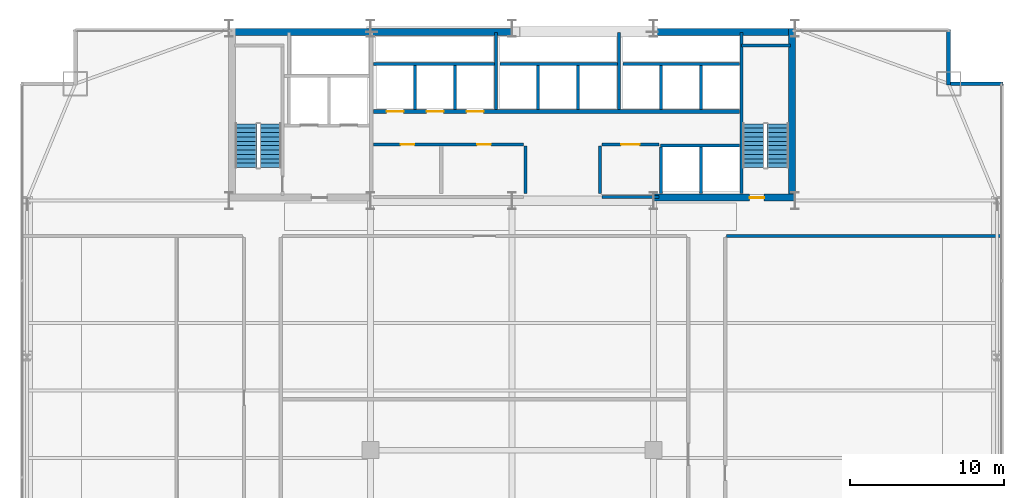
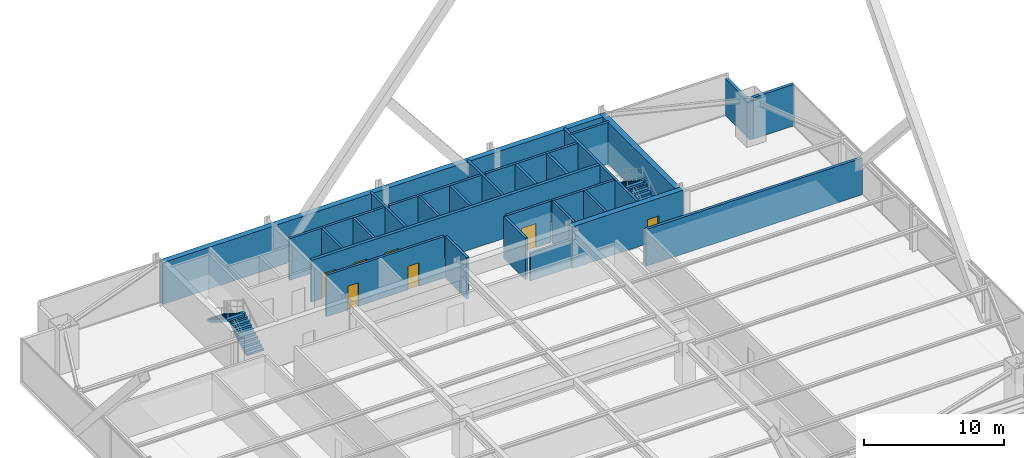
# One storey, part 29 of 32: 28 walls, 7 doors, 4 stair flights, 7 openings, 2 elements without a shape of their own.
"""IFC4 building model written with IfcOpenShell, lengths in metres."""

from ifc_helpers import new_model, si_unit, direction, frame, frame_2d, origin, place, context, subcontext, project, spatial, polyline, rectangle, outline, extrude, source, transform, mapped, material, layer, layer_set, type_object, type_shapes, element, fill, aggregate, save


model = new_model("IFC4")

# Units and contexts
model_context = context("Model", 3, precision=1e-05, world=origin(), true_north=direction((0.0, 1.0)))
body_context = subcontext(model_context, "Body", "Model", "MODEL_VIEW")
ifc_project = project(units=[si_unit("LENGTHUNIT", "METRE"), si_unit("AREAUNIT", "SQUARE_METRE"), si_unit("VOLUMEUNIT", "CUBIC_METRE"), si_unit("PLANEANGLEUNIT", "RADIAN"), si_unit("MASSUNIT", "GRAM", prefix="KILO")], contexts=[model_context])

# Site, building, storey
site_placement = place(None, origin())
site = spatial("IfcSite", under=ifc_project, at=site_placement, CompositionType="ELEMENT")
building_placement = place(site_placement, origin())
building = spatial("IfcBuilding", under=site, at=building_placement, Name="Varnel Quay Broadcast Tower", CompositionType="ELEMENT")
storey_placement = place(building_placement, frame((0.0, 0.0, 58.800048828125)))
storey = spatial("IfcBuildingStorey", under=building, at=storey_placement, Name="L13", CompositionType="ELEMENT", Elevation=58.800048828125)

# Walls
ifc_material_1 = material(Name="Concrete CSA A23.3 C50/60", Category="concrete")
ifc_layer_1 = layer(ifc_material_1, 0.199951171875, Name="Concrete CSA A23.3 C50/60")
ifc_layer_set_1 = layer_set([ifc_layer_1], Name="Concrete CSA A23.3 C50/60")
wall_type_1 = type_object("IfcWallType", Name="Wall_CoreShaftShear200", PredefinedType="SHEAR", material=ifc_layer_set_1)
wall_1_placement = place(storey_placement, frame((48.919921875, 36.050048828125, 0.0), z_axis=(0.0, 0.0, 1.0), x_axis=(0.0, 1.0, 0.0)))
element("IfcWall", 1, at=wall_1_placement, inside=storey, type_object=wall_type_1, Name="L13 Stair 2 West Structural Wall", PredefinedType="SHEAR", context=body_context, shape_type="SweptSolid", body=[
    extrude(rectangle(XDim=10.5, YDim=0.199951171875, at=frame_2d((5.25, 0.0))), origin(), (0.0, 0.0, 1.0), 3.64990234375),
])
wall_2_placement = place(storey_placement, frame((48.919921875, 45.679931640625, 0.0), z_axis=(0.0, 0.0, 1.0), x_axis=(1.0, 0.0, 0.0)))
element("IfcWall", 2, at=wall_2_placement, inside=storey, type_object=wall_type_1, Name="L13 Stair 2 North Structural Wall", PredefinedType="SHEAR", context=body_context, shape_type="SweptSolid", body=[
    extrude(rectangle(XDim=3.18017578125, YDim=0.199951171875, at=frame_2d((1.590087890625, 0.0))), origin(), (0.0, 0.0, 1.0), 3.64990234375),
])
wall_3_placement = place(storey_placement, frame((24.97998046875, 44.5, 0.0), z_axis=(0.0, 0.0, 1.0), x_axis=(1.0, 0.0, 0.0)))
element("IfcWall", 3, at=wall_3_placement, inside=storey, type_object=wall_type_1, Name="L13 Low-Rise Lift Shaft Rear Wall", PredefinedType="SHEAR", context=body_context, shape_type="SweptSolid", body=[
    extrude(rectangle(XDim=7.8701171875, YDim=0.199951171875, at=frame_2d((3.93505859375, 0.0))), origin(), (0.0, 0.0, 1.0), 3.64990234375),
])
for number, where, z_axis, x_axis, name in (
    (4, (27.699951171875, 41.530029296875, 0.0), (0.0, 0.0, 1.0), (0.0, 1.0, 0.0), "L13 Low-Rise Lift Shaft Divider 1"),
    (5, (30.300048828125, 41.530029296875, 0.0), (0.0, 0.0, 1.0), (0.0, 1.0, 0.0), "L13 Low-Rise Lift Shaft Divider 2"),
):
    element("IfcWall", number, at=place(storey_placement, frame(where, z_axis=z_axis, x_axis=x_axis)), inside=storey, type_object=wall_type_1, Name=name, PredefinedType="SHEAR", context=body_context, shape_type="SweptSolid", body=[
        extrude(rectangle(XDim=2.869873046875, YDim=0.199951171875, at=frame_2d((1.43505859375, 0.0))), origin(), (0.0, 0.0, 1.0), 3.64990234375),
    ])
wall_4_placement = place(storey_placement, frame((32.949951171875, 41.530029296875, 0.0), z_axis=(0.0, 0.0, 1.0), x_axis=(0.0, 1.0, 0.0)))
element("IfcWall", 6, at=wall_4_placement, inside=storey, type_object=wall_type_1, Name="L13 Low-Rise Lift Shaft Divider 3", PredefinedType="SHEAR", context=body_context, shape_type="SweptSolid", body=[
    extrude(rectangle(XDim=5.02001953125, YDim=0.199951171875, at=frame_2d((2.510009765625, 0.0))), origin(), (0.0, 0.0, 1.0), 3.64990234375),
])
wall_5_placement = place(storey_placement, frame((33.219970703125, 44.5, 0.0), z_axis=(0.0, 0.0, 1.0), x_axis=(1.0, 0.0, 0.0)))
element("IfcWall", 7, at=wall_5_placement, inside=storey, type_object=wall_type_1, Name="L13 Mid-Rise Lift Shaft Rear Wall", PredefinedType="SHEAR", context=body_context, shape_type="SweptSolid", body=[
    extrude(rectangle(XDim=7.630126953125, YDim=0.199951171875, at=frame_2d((3.81494140625, 0.0))), origin(), (0.0, 0.0, 1.0), 3.64990234375),
])
for number, where, z_axis, x_axis, name in (
    (8, (35.699951171875, 41.530029296875, 0.0), (0.0, 0.0, 1.0), (0.0, 1.0, 0.0), "L13 Mid-Rise Lift Shaft Divider 2"),
    (9, (38.300048828125, 41.530029296875, 0.0), (0.0, 0.0, 1.0), (0.0, 1.0, 0.0), "L13 Mid-Rise Lift Shaft Divider 3"),
):
    element("IfcWall", number, at=place(storey_placement, frame(where, z_axis=z_axis, x_axis=x_axis)), inside=storey, type_object=wall_type_1, Name=name, PredefinedType="SHEAR", context=body_context, shape_type="SweptSolid", body=[
        extrude(rectangle(XDim=2.869873046875, YDim=0.199951171875, at=frame_2d((1.43505859375, 0.0))), origin(), (0.0, 0.0, 1.0), 3.64990234375),
    ])
wall_6_placement = place(storey_placement, frame((40.949951171875, 41.530029296875, 0.0), z_axis=(0.0, 0.0, 1.0), x_axis=(0.0, 1.0, 0.0)))
element("IfcWall", 10, at=wall_6_placement, inside=storey, type_object=wall_type_1, Name="L13 Mid-Rise Lift Shaft Divider 4", PredefinedType="SHEAR", context=body_context, shape_type="SweptSolid", body=[
    extrude(rectangle(XDim=5.02001953125, YDim=0.199951171875, at=frame_2d((2.510009765625, 0.0))), origin(), (0.0, 0.0, 1.0), 3.64990234375),
])
wall_7_placement = place(storey_placement, frame((41.219970703125, 44.5, 0.0), z_axis=(0.0, 0.0, 1.0), x_axis=(1.0, 0.0, 0.0)))
element("IfcWall", 11, at=wall_7_placement, inside=storey, type_object=wall_type_1, Name="L13 High-Rise Lift Shaft Rear Wall", PredefinedType="SHEAR", context=body_context, shape_type="SweptSolid", body=[
    extrude(rectangle(XDim=7.580078125, YDim=0.199951171875, at=frame_2d((3.7900390625, 0.0))), origin(), (0.0, 0.0, 1.0), 3.64990234375),
])
for number, where, z_axis, x_axis, name in (
    (12, (43.699951171875, 41.530029296875, 0.0), (0.0, 0.0, 1.0), (0.0, 1.0, 0.0), "L13 High-Rise Lift Shaft Divider 2"),
    (13, (46.300048828125, 41.530029296875, 0.0), (0.0, 0.0, 1.0), (0.0, 1.0, 0.0), "L13 High-Rise Lift Shaft Divider 3"),
):
    element("IfcWall", number, at=place(storey_placement, frame(where, z_axis=z_axis, x_axis=x_axis)), inside=storey, type_object=wall_type_1, Name=name, PredefinedType="SHEAR", context=body_context, shape_type="SweptSolid", body=[
        extrude(rectangle(XDim=2.869873046875, YDim=0.199951171875, at=frame_2d((1.43505859375, 0.0))), origin(), (0.0, 0.0, 1.0), 3.64990234375),
    ])
for number, where, z_axis, x_axis, name in (
    (14, (43.699951171875, 36.050048828125, 0.0), (0.0, 0.0, 1.0), (0.0, 1.0, 0.0), "L13 Express Lift Shaft West Wall"),
    (15, (46.300048828125, 36.050048828125, 0.0), (0.0, 0.0, 1.0), (0.0, 1.0, 0.0), "L13 Express Lift Shaft Divider"),
):
    element("IfcWall", number, at=place(storey_placement, frame(where, z_axis=z_axis, x_axis=x_axis)), inside=storey, type_object=wall_type_1, Name=name, PredefinedType="SHEAR", context=body_context, shape_type="SweptSolid", body=[
        extrude(rectangle(XDim=3.050048828125, YDim=0.199951171875, at=frame_2d((1.52490234375, 0.0))), origin(), (0.0, 0.0, 1.0), 3.64990234375),
    ])
wall_8_placement = place(storey_placement, frame((43.64990234375, 39.199951171875, 0.0), z_axis=(0.0, 0.0, 1.0), x_axis=(1.0, 0.0, 0.0)))
element("IfcWall", 16, at=wall_8_placement, inside=storey, type_object=wall_type_1, Name="L13 Express Lift Shaft North Front Wall", PredefinedType="SHEAR", context=body_context, shape_type="SweptSolid", body=[
    extrude(rectangle(XDim=5.150146484375, YDim=0.199951171875, at=frame_2d((2.5751953125, 0.0))), origin(), (0.0, 0.0, 1.0), 3.64990234375),
])

# Wall, openings, doors
ifc_layer_2 = layer(ifc_material_1, 0.25, Name="Concrete CSA A23.3 C50/60")
ifc_layer_set_2 = layer_set([ifc_layer_2], Name="Concrete CSA A23.3 C50/60")
wall_type_2 = type_object("IfcWallType", Name="Wall_CoreShaftShear250", PredefinedType="SHEAR", material=ifc_layer_set_2)
wall_9_placement = place(storey_placement, frame((24.97998046875, 41.39990234375, 0.0), z_axis=(0.0, 0.0, 1.0), x_axis=(1.0, 0.0, 0.0)))
wall_9 = element("IfcWall", 17, at=wall_9_placement, inside=storey, type_object=wall_type_2, Name="L13 North Lift Bank & Reclaimed Suite Wall", PredefinedType="SHEAR", context=body_context, shape_type="SweptSolid", body=[
    extrude(rectangle(XDim=23.820068359375, YDim=0.25, at=frame_2d((11.91015625, 0.0))), origin(), (0.0, 0.0, 1.0), 3.64990234375),
])
opening_1_placement = place(wall_9_placement, frame((0.8701171875, 0.0, 0.0)))
opening_1 = element("IfcOpeningElement", 18, at=opening_1_placement, cuts=wall_9, Name="Opening LD-L13-PL-01", PredefinedType="OPENING", context=body_context, shape_type="SweptSolid", body=[
    extrude(rectangle(XDim=1.10009765625, YDim=2.179931640625, at=frame_2d((0.550048828125, 1.08984375))), frame((0.0, 0.135009765625, 0.0), z_axis=(0.0, -1.0, 0.0), x_axis=(1.0, 0.0, 0.0)), (0.0, 0.0, 1.0), 0.27001953125),
])
opening_2_placement = place(wall_9_placement, frame((3.469970703125, 0.0, 0.0)))
opening_2 = element("IfcOpeningElement", 19, at=opening_2_placement, cuts=wall_9, Name="Opening LD-L13-PL-02", PredefinedType="OPENING", context=body_context, shape_type="SweptSolid", body=[
    extrude(rectangle(XDim=1.10009765625, YDim=2.179931640625, at=frame_2d((0.550048828125, 1.08984375))), frame((0.0, 0.135009765625, 0.0), z_axis=(0.0, -1.0, 0.0), x_axis=(1.0, 0.0, 0.0)), (0.0, 0.0, 1.0), 0.27001953125),
])
opening_3_placement = place(wall_9_placement, frame((6.070068359375, 0.0, 0.0)))
opening_3 = element("IfcOpeningElement", 20, at=opening_3_placement, cuts=wall_9, Name="Opening LD-L13-PL-03", PredefinedType="OPENING", context=body_context, shape_type="SweptSolid", body=[
    extrude(rectangle(XDim=1.10009765625, YDim=2.179931640625, at=frame_2d((0.550048828125, 1.08984375))), frame((0.0, 0.135009765625, 0.0), z_axis=(0.0, -1.0, 0.0), x_axis=(1.0, 0.0, 0.0)), (0.0, 0.0, 1.0), 0.27001953125),
])
ifc_material_2 = material(Name="Brushed Bronze-Stainless Lift Car & Sliding Doors", Category="steel")
door_type_1 = type_object("IfcDoorType", Name="Door_LiftLanding1100", OperationType="SLIDING_TO_LEFT", PredefinedType="DOOR", material=ifc_material_2)
shared_shape_1 = source(origin(), body_context, "Body", "SweptSolid", [
    extrude(rectangle(XDim=1.10009765625, YDim=2.179931640625, at=frame_2d((0.550048828125, 1.08984375))), frame((0.0, 0.02490234375, 0.0), z_axis=(0.0, -1.0, 0.0), x_axis=(1.0, 0.0, 0.0)), (0.0, 0.0, 1.0), 0.050048828125),
])
type_shapes(door_type_1, [shared_shape_1])
door_1_placement = place(opening_1_placement, frame((1.10009765625, 0.0, 0.0), z_axis=(0.0, 0.0, 1.0), x_axis=(-1.0, 0.0, 0.0)))
door_1 = element("IfcDoor", 21, at=door_1_placement, inside=storey, type_object=door_type_1, Name="L13 Lift PL-01 Landing Door", OperationType="SLIDING_TO_LEFT", OverallHeight=2.179931640625, OverallWidth=1.10009765625, PredefinedType="DOOR", context=body_context, shape_type="MappedRepresentation", body=[
    mapped(shared_shape_1, transform((0.0, 0.0, 0.0), x_axis=(1.0, 0.0, 0.0), y_axis=(0.0, 1.0, 0.0), z_axis=(0.0, 0.0, 1.0), scale=1.0)),
])
fill(opening_1, door_1)
door_2_placement = place(opening_2_placement, frame((1.10009765625, 0.0, 0.0), z_axis=(0.0, 0.0, 1.0), x_axis=(-1.0, 0.0, 0.0)))
door_2 = element("IfcDoor", 22, at=door_2_placement, inside=storey, type_object=door_type_1, Name="L13 Lift PL-02 Landing Door", OperationType="SLIDING_TO_LEFT", OverallHeight=2.179931640625, OverallWidth=1.10009765625, PredefinedType="DOOR", context=body_context, shape_type="MappedRepresentation", body=[
    mapped(shared_shape_1, transform((0.0, 0.0, 0.0), x_axis=(1.0, 0.0, 0.0), y_axis=(0.0, 1.0, 0.0), z_axis=(0.0, 0.0, 1.0), scale=1.0)),
])
fill(opening_2, door_2)
door_3_placement = place(opening_3_placement, frame((1.10009765625, 0.0, 0.0), z_axis=(0.0, 0.0, 1.0), x_axis=(-1.0, 0.0, 0.0)))
door_3 = element("IfcDoor", 23, at=door_3_placement, inside=storey, type_object=door_type_1, Name="L13 Lift PL-03 Landing Door", OperationType="SLIDING_TO_LEFT", OverallHeight=2.179931640625, OverallWidth=1.10009765625, PredefinedType="DOOR", context=body_context, shape_type="MappedRepresentation", body=[
    mapped(shared_shape_1, transform((0.0, 0.0, 0.0), x_axis=(1.0, 0.0, 0.0), y_axis=(0.0, 1.0, 0.0), z_axis=(0.0, 0.0, 1.0), scale=1.0)),
])
fill(opening_3, door_3)

# Walls
ifc_material_3 = material(Name="Concrete CSA A23.3 C60/75", Category="concrete")
ifc_layer_3 = layer(ifc_material_3, 0.449951171875, Name="Concrete CSA A23.3 C60/75")
ifc_layer_set_3 = layer_set([ifc_layer_3], Name="Concrete CSA A23.3 C60/75")
wall_type_3 = type_object("IfcWallType", Name="Wall_CoreShearExt450", PredefinedType="SHEAR", material=ifc_layer_set_3)
wall_10_placement = place(storey_placement, frame((15.60009765625, 46.574951171875, 0.0), z_axis=(0.0, 0.0, 1.0), x_axis=(1.0, 0.0, 0.0)))
element("IfcWall", 24, at=wall_10_placement, inside=storey, type_object=wall_type_3, Name="L13 North Core Shear Wall", PredefinedType="SHEAR", context=body_context, shape_type="SweptSolid", body=[
    extrude(rectangle(XDim=36.7998046875, YDim=0.449951171875, at=frame_2d((18.39990234375, 0.0))), origin(), (0.0, 0.0, 1.0), 3.64990234375),
])
ifc_layer_4 = layer(ifc_material_3, 0.449951171875, Name="Concrete CSA A23.3 C60/75")
ifc_layer_set_4 = layer_set([ifc_layer_4], Name="Concrete CSA A23.3 C60/75")
wall_type_4 = type_object("IfcWallType", Name="Wall_CoreShearInt450", PredefinedType="SHEAR", material=ifc_layer_set_4)
wall_11_placement = place(storey_placement, frame((52.205078125, 35.570068359375, 0.0), z_axis=(0.0, 0.0, 1.0), x_axis=(0.0, 1.0, 0.0)))
element("IfcWall", 25, at=wall_11_placement, inside=storey, type_object=wall_type_4, Name="L13 East Core Shear Wall", PredefinedType="SHEAR", context=body_context, shape_type="SweptSolid", body=[
    extrude(rectangle(XDim=11.22998046875, YDim=0.449951171875, at=frame_2d((5.614990234375, 0.0))), origin(), (0.0, 0.0, 1.0), 3.64990234375),
])

# Wall, opening, door
wall_12_placement = place(storey_placement, frame((43.199951171875, 35.794921875, 0.0), z_axis=(0.0, 0.0, 1.0), x_axis=(1.0, 0.0, 0.0)))
wall_12 = element("IfcWall", 26, at=wall_12_placement, inside=storey, type_object=wall_type_4, Name="L13 South-East Core Shear Wall", PredefinedType="SHEAR", context=body_context, shape_type="SweptSolid", body=[
    extrude(rectangle(XDim=9.22998046875, YDim=0.449951171875, at=frame_2d((4.614990234375, 0.0))), origin(), (0.0, 0.0, 1.0), 3.64990234375),
])
opening_4_placement = place(wall_12_placement, frame((6.25, 0.0, 0.0)))
opening_4 = element("IfcOpeningElement", 27, at=opening_4_placement, cuts=wall_12, Name="Opening D-L13-S2", PredefinedType="OPENING", context=body_context, shape_type="SweptSolid", body=[
    extrude(rectangle(XDim=0.949951171875, YDim=2.10009765625, at=frame_2d((0.47509765625, 1.050048828125))), frame((0.0, 0.23486328125, 0.0), z_axis=(0.0, -1.0, 0.0), x_axis=(1.0, 0.0, 0.0)), (0.0, 0.0, 1.0), 0.469970703125),
])
ifc_material_4 = material(Name="Insulated Fire-Rated Hollow Steel Door", Category="steel")
door_type_2 = type_object("IfcDoorType", Name="Door_FireStair950", OperationType="NOTDEFINED", PredefinedType="DOOR", material=ifc_material_4)
shared_shape_2 = source(origin(), body_context, "Body", "SweptSolid", [
    extrude(rectangle(XDim=0.949951171875, YDim=2.10009765625, at=frame_2d((0.47509765625, 1.050048828125))), frame((0.0, 0.02490234375, 0.0), z_axis=(0.0, -1.0, 0.0), x_axis=(1.0, 0.0, 0.0)), (0.0, 0.0, 1.0), 0.050048828125),
])
type_shapes(door_type_2, [shared_shape_2])
door_4_placement = place(opening_4_placement, origin())
door_4 = element("IfcDoor", 28, at=door_4_placement, inside=storey, type_object=door_type_2, Name="L13 Stair 2 Fire Door", OperationType="SINGLE_SWING_RIGHT", OverallHeight=2.10009765625, OverallWidth=0.949951171875, PredefinedType="DOOR", context=body_context, shape_type="MappedRepresentation", body=[
    mapped(shared_shape_2, transform((0.0, 0.0, 0.0), x_axis=(1.0, 0.0, 0.0), y_axis=(0.0, 1.0, 0.0), z_axis=(0.0, 0.0, 1.0), scale=1.0)),
])
fill(opening_4, door_4)

# Walls
ifc_material_5 = material(Name="Precast Architectural Concrete C40/50", Category="concrete")
ifc_layer_5 = layer(ifc_material_5, 0.25, Name="Precast Architectural Concrete C40/50")
ifc_layer_set_5 = layer_set([ifc_layer_5], Name="Precast Architectural Concrete C40/50")
wall_type_5 = type_object("IfcWallType", Name="Wall_ExtTerrace250", PredefinedType="SOLIDWALL", material=ifc_layer_set_5)
wall_13_placement = place(storey_placement, frame((62.530029296875, 43.199951171875, 0.0), z_axis=(0.0, 0.0, 1.0), x_axis=(1.0, 0.0, 0.0)))
element("IfcWall", 29, at=wall_13_placement, inside=storey, type_object=wall_type_5, Name="L13 Mega-Column Notch Cladding Wall NNE1", PredefinedType="SOLIDWALL", context=body_context, shape_type="SweptSolid", body=[
    extrude(rectangle(XDim=3.389892578125, YDim=0.25, at=frame_2d((1.69482421875, 0.0))), origin(), (0.0, 0.0, 1.0), 3.6298828125),
])
wall_14_placement = place(storey_placement, frame((62.39990234375, 43.1201171875, 0.0), z_axis=(0.0, 0.0, 1.0), x_axis=(0.0, 1.0, 0.0)))
element("IfcWall", 30, at=wall_14_placement, inside=storey, type_object=wall_type_5, Name="L13 Mega-Column Notch Cladding Wall NNE2", PredefinedType="SOLIDWALL", context=body_context, shape_type="SweptSolid", body=[
    extrude(rectangle(XDim=3.599853515625, YDim=0.25, at=frame_2d((1.7998046875, 0.0))), origin(), (0.0, 0.0, 1.0), 3.2080078125),
])
ifc_material_6 = material(Name="Concrete Blockwork Fire Enclosure C40/50", Category="masonry")
ifc_layer_6 = layer(ifc_material_6, 0.199951171875, Name="Concrete Blockwork Fire Enclosure C40/50")
ifc_layer_set_6 = layer_set([ifc_layer_6], Name="Concrete Blockwork Fire Enclosure C40/50")
wall_type_6 = type_object("IfcWallType", Name="Wall_FireShaft200", PredefinedType="SOLIDWALL", material=ifc_layer_set_6)
wall_15_placement = place(storey_placement, frame((39.85009765625, 35.824951171875, 0.0), z_axis=(0.0, 0.0, 1.0), x_axis=(1.0, 0.0, 0.0)))
element("IfcWall", 31, at=wall_15_placement, inside=storey, type_object=wall_type_6, Name="L13 Electrical Sub-Distribution Closet Partition 5", PredefinedType="SOLIDWALL", context=body_context, shape_type="SweptSolid", body=[
    extrude(rectangle(XDim=3.699951171875, YDim=0.199951171875, at=frame_2d((1.85009765625, 0.0))), origin(), (0.0, 0.0, 1.0), 2.425048828125),
])

# Wall, opening, door
wall_16_placement = place(storey_placement, frame((39.85009765625, 39.25, 0.0), z_axis=(0.0, 0.0, 1.0), x_axis=(1.0, 0.0, 0.0)))
wall_16 = element("IfcWall", 32, at=wall_16_placement, inside=storey, type_object=wall_type_6, Name="L13 Electrical Sub-Distribution Closet Partition 6", PredefinedType="SOLIDWALL", context=body_context, shape_type="SweptSolid", body=[
    extrude(rectangle(XDim=3.699951171875, YDim=0.199951171875, at=frame_2d((1.85009765625, 0.0))), origin(), (0.0, 0.0, 1.0), 3.6298828125),
])
opening_5_placement = place(wall_16_placement, frame((1.25, 0.0, 0.0)))
opening_5 = element("IfcOpeningElement", 33, at=opening_5_placement, cuts=wall_16, Name="Opening D-L13-03", PredefinedType="OPENING", context=body_context, shape_type="SweptSolid", body=[
    extrude(rectangle(XDim=1.199951171875, YDim=2.10009765625, at=frame_2d((0.60009765625, 1.050048828125))), frame((0.0, 0.10986328125, 0.0), z_axis=(0.0, -1.0, 0.0), x_axis=(1.0, 0.0, 0.0)), (0.0, 0.0, 1.0), 0.219970703125),
])
door_type_3 = type_object("IfcDoorType", Name="Door_Plant1200", OperationType="NOTDEFINED", PredefinedType="DOOR", material=ifc_material_4)
shared_shape_3 = source(origin(), body_context, "Body", "SweptSolid", [
    extrude(rectangle(XDim=1.199951171875, YDim=2.10009765625, at=frame_2d((0.60009765625, 1.050048828125))), frame((0.0, 0.02490234375, 0.0), z_axis=(0.0, -1.0, 0.0), x_axis=(1.0, 0.0, 0.0)), (0.0, 0.0, 1.0), 0.050048828125),
])
type_shapes(door_type_3, [shared_shape_3])
door_5_placement = place(opening_5_placement, origin())
door_5 = element("IfcDoor", 34, at=door_5_placement, inside=storey, type_object=door_type_3, Name="L13 Electrical Sub-Distribution Closet Door D-L13-03", OperationType="SINGLE_SWING_LEFT", OverallHeight=2.10009765625, OverallWidth=1.199951171875, PredefinedType="DOOR", context=body_context, shape_type="MappedRepresentation", body=[
    mapped(shared_shape_3, transform((0.0, 0.0, 0.0), x_axis=(1.0, 0.0, 0.0), y_axis=(0.0, 1.0, 0.0), z_axis=(0.0, 0.0, 1.0), scale=1.0)),
])
fill(opening_5, door_5)

# Walls
wall_17_placement = place(storey_placement, frame((39.72509765625, 36.050048828125, 0.0), z_axis=(0.0, 0.0, 1.0), x_axis=(0.0, 1.0, 0.0)))
element("IfcWall", 35, at=wall_17_placement, inside=storey, type_object=wall_type_6, Name="L13 Electrical Sub-Distribution Closet Partition 7", PredefinedType="SOLIDWALL", context=body_context, shape_type="SweptSolid", body=[
    extrude(rectangle(XDim=3.099853515625, YDim=0.199951171875, at=frame_2d((1.5498046875, 0.0))), origin(), (0.0, 0.0, 1.0), 3.6298828125),
])
ifc_material_7 = material(Name="Steel-Stud Fire-Rated Acoustic Gypsum Partition Assembly", Category="steel")
ifc_layer_7 = layer(ifc_material_7, 0.22509765625, Name="Steel-Stud Fire-Rated Acoustic Gypsum Partition Assembly")
ifc_layer_set_7 = layer_set([ifc_layer_7], Name="Steel-Stud Fire-Rated Acoustic Gypsum Partition Assembly")
wall_type_7 = type_object("IfcWallType", Name="Wall_Partition225", PredefinedType="PARTITIONING", material=ifc_layer_set_7)
wall_18_placement = place(storey_placement, frame((47.9599609375, 33.300048828125, 0.0), z_axis=(0.0, 0.0, 1.0), x_axis=(1.0, 0.0, 0.0)))
element("IfcWall", 36, at=wall_18_placement, inside=storey, type_object=wall_type_7, Name="L13 Audio Control Room 6 Partition 17", PredefinedType="PARTITIONING", context=body_context, shape_type="SweptSolid", body=[
    extrude(rectangle(XDim=17.860107421875, YDim=0.22509765625, at=frame_2d((8.93017578125, 0.0))), origin(), (0.0, 0.0, 1.0), 3.2080078125),
])

# Wall, openings, doors
ifc_material_8 = material(Name="Fire-Rated Moisture-Resistant Plumbing Chase Partition")
ifc_layer_8 = layer(ifc_material_8, 0.199951171875, Name="Fire-Rated Moisture-Resistant Plumbing Chase Partition")
ifc_layer_set_8 = layer_set([ifc_layer_8], Name="Fire-Rated Moisture-Resistant Plumbing Chase Partition")
wall_type_8 = type_object("IfcWallType", Name="Wall_Plumbing200", PredefinedType="PLUMBINGWALL", material=ifc_layer_set_8)
wall_19_placement = place(storey_placement, frame((25.0, 39.25, 0.0), z_axis=(0.0, 0.0, 1.0), x_axis=(1.0, 0.0, 0.0)))
wall_19 = element("IfcWall", 37, at=wall_19_placement, inside=storey, type_object=wall_type_8, Name="L13 Accessible Washroom Partition 3", PredefinedType="PLUMBINGWALL", context=body_context, shape_type="SweptSolid", body=[
    extrude(rectangle(XDim=9.75, YDim=0.199951171875, at=frame_2d((4.875, 0.0))), origin(), (0.0, 0.0, 1.0), 3.6298828125),
])
opening_6_placement = place(wall_19_placement, frame((1.75, 0.0, 0.0)))
opening_6 = element("IfcOpeningElement", 38, at=opening_6_placement, cuts=wall_19, Name="Opening D-L13-01", PredefinedType="OPENING", context=body_context, shape_type="SweptSolid", body=[
    extrude(rectangle(XDim=0.89990234375, YDim=2.06005859375, at=frame_2d((0.449951171875, 1.030029296875))), frame((0.0, 0.10986328125, 0.0), z_axis=(0.0, -1.0, 0.0), x_axis=(1.0, 0.0, 0.0)), (0.0, 0.0, 1.0), 0.219970703125),
])
opening_7_placement = place(wall_19_placement, frame((6.72509765625, 0.0, 0.0)))
opening_7 = element("IfcOpeningElement", 39, at=opening_7_placement, cuts=wall_19, Name="Opening D-L13-02", PredefinedType="OPENING", context=body_context, shape_type="SweptSolid", body=[
    extrude(rectangle(XDim=0.89990234375, YDim=2.06005859375, at=frame_2d((0.449951171875, 1.030029296875))), frame((0.0, 0.10986328125, 0.0), z_axis=(0.0, -1.0, 0.0), x_axis=(1.0, 0.0, 0.0)), (0.0, 0.0, 1.0), 0.219970703125),
])
ifc_material_9 = material(Name="Solid-Core Fire-Rated Acoustic Oak Veneer Door", Category="wood")
door_type_4 = type_object("IfcDoorType", Name="Door_Washroom900", OperationType="NOTDEFINED", PredefinedType="DOOR", material=ifc_material_9)
shared_shape_4 = source(origin(), body_context, "Body", "SweptSolid", [
    extrude(rectangle(XDim=0.89990234375, YDim=2.06005859375, at=frame_2d((0.449951171875, 1.030029296875))), frame((0.0, 0.02490234375, 0.0), z_axis=(0.0, -1.0, 0.0), x_axis=(1.0, 0.0, 0.0)), (0.0, 0.0, 1.0), 0.050048828125),
])
type_shapes(door_type_4, [shared_shape_4])
door_6_placement = place(opening_6_placement, frame((0.89990234375, 0.0, 0.0), z_axis=(0.0, 0.0, 1.0), x_axis=(-1.0, 0.0, 0.0)))
door_6 = element("IfcDoor", 40, at=door_6_placement, inside=storey, type_object=door_type_4, Name="L13 Accessible Washroom Door D-L13-01", OperationType="SINGLE_SWING_LEFT", OverallHeight=2.06005859375, OverallWidth=0.89990234375, PredefinedType="DOOR", context=body_context, shape_type="MappedRepresentation", body=[
    mapped(shared_shape_4, transform((0.0, 0.0, 0.0), x_axis=(1.0, 0.0, 0.0), y_axis=(0.0, 1.0, 0.0), z_axis=(0.0, 0.0, 1.0), scale=1.0)),
])
fill(opening_6, door_6)
door_7_placement = place(opening_7_placement, frame((0.89990234375, 0.0, 0.0), z_axis=(0.0, 0.0, 1.0), x_axis=(-1.0, 0.0, 0.0)))
door_7 = element("IfcDoor", 41, at=door_7_placement, inside=storey, type_object=door_type_4, Name="L13 Staff Washrooms Door D-L13-02", OperationType="SINGLE_SWING_RIGHT", OverallHeight=2.06005859375, OverallWidth=0.89990234375, PredefinedType="DOOR", context=body_context, shape_type="MappedRepresentation", body=[
    mapped(shared_shape_4, transform((0.0, 0.0, 0.0), x_axis=(1.0, 0.0, 0.0), y_axis=(0.0, 1.0, 0.0), z_axis=(0.0, 0.0, 1.0), scale=1.0)),
])
fill(opening_7, door_7)

# Wall
wall_20_placement = place(storey_placement, frame((34.875, 36.050048828125, 0.0), z_axis=(0.0, 0.0, 1.0), x_axis=(0.0, 1.0, 0.0)))
element("IfcWall", 42, at=wall_20_placement, inside=storey, type_object=wall_type_8, Name="L13 Staff Washrooms Partition 4", PredefinedType="PLUMBINGWALL", context=body_context, shape_type="SweptSolid", body=[
    extrude(rectangle(XDim=3.099853515625, YDim=0.199951171875, at=frame_2d((1.5498046875, 0.0))), origin(), (0.0, 0.0, 1.0), 3.6298828125),
])

# Stair, stair flights
ifc_material_10 = material(Name="Precast Structural Concrete C40/50", Category="concrete")
stair_type_1 = type_object("IfcStairType", Name="Stair_ST-01", PredefinedType="HALF_TURN_STAIR", material=ifc_material_10)
stair_1_placement = place(storey_placement, origin())
stair_1 = element("IfcStair", 43, at=stair_1_placement, inside=storey, type_object=stair_type_1, Name="L13 West Core Exit Stair 1", PredefinedType="HALF_TURN_STAIR")
stair_flight_type_1 = type_object("IfcStairFlightType", Name="Flight_ST-01", PredefinedType="STRAIGHT", material=ifc_material_10)
stair_flight_1_placement = place(storey_placement, frame((18.300048828125, 37.75, 0.0), z_axis=(0.0, 0.0, 1.0), x_axis=(0.0, 1.0, 0.0)))
stair_flight_1 = element("IfcStairFlight", 44, at=stair_flight_1_placement, type_object=stair_flight_type_1, Name="ST-01 flight 1", NumberOfRisers=11, NumberOfTreads=10, PredefinedType="STRAIGHT", RiserHeight=0.177272727, TreadLength=0.285, context=body_context, shape_type="SweptSolid", body=[
    extrude(outline(polyline([(0.0, 0.0), (0.0, 0.17724609375), (0.284912109375, 0.17724609375), (0.284912109375, 0.3544921875), (0.570068359375, 0.3544921875), (0.570068359375, 0.53173828125), (0.85498046875, 0.53173828125), (0.85498046875, 0.708984375), (1.139892578125, 0.708984375), (1.139892578125, 0.886474609375), (1.425048828125, 0.886474609375), (1.425048828125, 1.063720703125), (1.7099609375, 1.063720703125), (1.7099609375, 1.240966796875), (1.9951171875, 1.240966796875), (1.9951171875, 1.418212890625), (2.280029296875, 1.418212890625), (2.280029296875, 1.595458984375), (2.56494140625, 1.595458984375), (2.56494140625, 1.772705078125), (2.85009765625, 1.772705078125), (2.85009765625, 1.949951171875), (2.85009765625, 1.59619140625), (0.283935546875, 0.0), (0.0, 0.0)])), frame((0.0, 0.699951171875, 0.0), z_axis=(0.0, -1.0, 0.0), x_axis=(1.0, 0.0, 0.0)), (0.0, 0.0, 1.0), 1.39990234375),
])
stair_flight_2_placement = place(storey_placement, frame((16.699951171875, 40.60009765625, 1.949951171875), z_axis=(0.0, 0.0, 1.0), x_axis=(0.0, -1.0, 0.0)))
stair_flight_2 = element("IfcStairFlight", 45, at=stair_flight_2_placement, type_object=stair_flight_type_1, Name="ST-01 flight 2", NumberOfRisers=11, NumberOfTreads=10, PredefinedType="STRAIGHT", RiserHeight=0.177272727, TreadLength=0.285, context=body_context, shape_type="SweptSolid", body=[
    extrude(outline(polyline([(0.0, 0.0), (0.0, 0.17724609375), (0.284912109375, 0.17724609375), (0.284912109375, 0.3544921875), (0.570068359375, 0.3544921875), (0.570068359375, 0.53173828125), (0.85498046875, 0.53173828125), (0.85498046875, 0.708984375), (1.139892578125, 0.708984375), (1.139892578125, 0.886474609375), (1.425048828125, 0.886474609375), (1.425048828125, 1.063720703125), (1.7099609375, 1.063720703125), (1.7099609375, 1.240966796875), (1.9951171875, 1.240966796875), (1.9951171875, 1.418212890625), (2.280029296875, 1.418212890625), (2.280029296875, 1.595458984375), (2.56494140625, 1.595458984375), (2.56494140625, 1.772705078125), (2.85009765625, 1.772705078125), (2.85009765625, 1.949951171875), (2.85009765625, 1.59619140625), (0.283935546875, 0.0), (0.0, 0.0)])), frame((0.0, 0.699951171875, 0.0), z_axis=(0.0, -1.0, 0.0), x_axis=(1.0, 0.0, 0.0)), (0.0, 0.0, 1.0), 1.39990234375),
])
aggregate(stair_1, [stair_flight_1, stair_flight_2])

stair_type_2 = type_object("IfcStairType", Name="Stair_ST-02", PredefinedType="HALF_TURN_STAIR", material=ifc_material_10)
stair_2_placement = place(storey_placement, origin())
stair_2 = element("IfcStair", 46, at=stair_2_placement, inside=storey, type_object=stair_type_2, Name="L13 East Core Exit Stair 2", PredefinedType="HALF_TURN_STAIR")
stair_flight_type_2 = type_object("IfcStairFlightType", Name="Flight_ST-02", PredefinedType="STRAIGHT", material=ifc_material_10)
stair_flight_3_placement = place(storey_placement, frame((51.300048828125, 37.75, 0.0), z_axis=(0.0, 0.0, 1.0), x_axis=(0.0, 1.0, 0.0)))
stair_flight_3 = element("IfcStairFlight", 47, at=stair_flight_3_placement, type_object=stair_flight_type_2, Name="ST-02 flight 1", NumberOfRisers=11, NumberOfTreads=10, PredefinedType="STRAIGHT", RiserHeight=0.177272727, TreadLength=0.285, context=body_context, shape_type="SweptSolid", body=[
    extrude(outline(polyline([(0.0, 0.0), (0.0, 0.17724609375), (0.284912109375, 0.17724609375), (0.284912109375, 0.3544921875), (0.570068359375, 0.3544921875), (0.570068359375, 0.53173828125), (0.85498046875, 0.53173828125), (0.85498046875, 0.708984375), (1.139892578125, 0.708984375), (1.139892578125, 0.886474609375), (1.425048828125, 0.886474609375), (1.425048828125, 1.063720703125), (1.7099609375, 1.063720703125), (1.7099609375, 1.240966796875), (1.9951171875, 1.240966796875), (1.9951171875, 1.418212890625), (2.280029296875, 1.418212890625), (2.280029296875, 1.595458984375), (2.56494140625, 1.595458984375), (2.56494140625, 1.772705078125), (2.85009765625, 1.772705078125), (2.85009765625, 1.949951171875), (2.85009765625, 1.59619140625), (0.283935546875, 0.0), (0.0, 0.0)])), frame((0.0, 0.699951171875, 0.0), z_axis=(0.0, -1.0, 0.0), x_axis=(1.0, 0.0, 0.0)), (0.0, 0.0, 1.0), 1.39990234375),
])
stair_flight_4_placement = place(storey_placement, frame((49.699951171875, 40.60009765625, 1.949951171875), z_axis=(0.0, 0.0, 1.0), x_axis=(0.0, -1.0, 0.0)))
stair_flight_4 = element("IfcStairFlight", 48, at=stair_flight_4_placement, type_object=stair_flight_type_2, Name="ST-02 flight 2", NumberOfRisers=11, NumberOfTreads=10, PredefinedType="STRAIGHT", RiserHeight=0.177272727, TreadLength=0.285, context=body_context, shape_type="SweptSolid", body=[
    extrude(outline(polyline([(0.0, 0.0), (0.0, 0.17724609375), (0.284912109375, 0.17724609375), (0.284912109375, 0.3544921875), (0.570068359375, 0.3544921875), (0.570068359375, 0.53173828125), (0.85498046875, 0.53173828125), (0.85498046875, 0.708984375), (1.139892578125, 0.708984375), (1.139892578125, 0.886474609375), (1.425048828125, 0.886474609375), (1.425048828125, 1.063720703125), (1.7099609375, 1.063720703125), (1.7099609375, 1.240966796875), (1.9951171875, 1.240966796875), (1.9951171875, 1.418212890625), (2.280029296875, 1.418212890625), (2.280029296875, 1.595458984375), (2.56494140625, 1.595458984375), (2.56494140625, 1.772705078125), (2.85009765625, 1.772705078125), (2.85009765625, 1.949951171875), (2.85009765625, 1.59619140625), (0.283935546875, 0.0), (0.0, 0.0)])), frame((0.0, 0.699951171875, 0.0), z_axis=(0.0, -1.0, 0.0), x_axis=(1.0, 0.0, 0.0)), (0.0, 0.0, 1.0), 1.39990234375),
])
aggregate(stair_2, [stair_flight_3, stair_flight_4])

save(model, "model.ifc")
